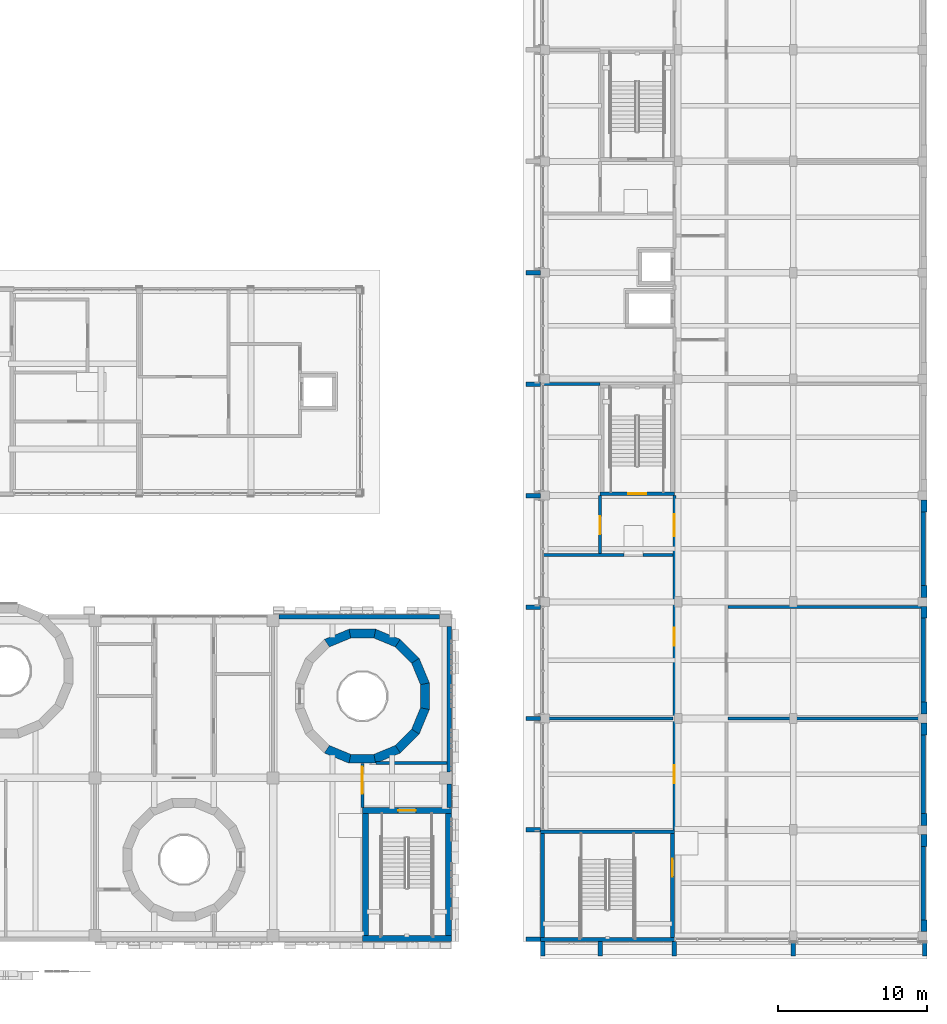
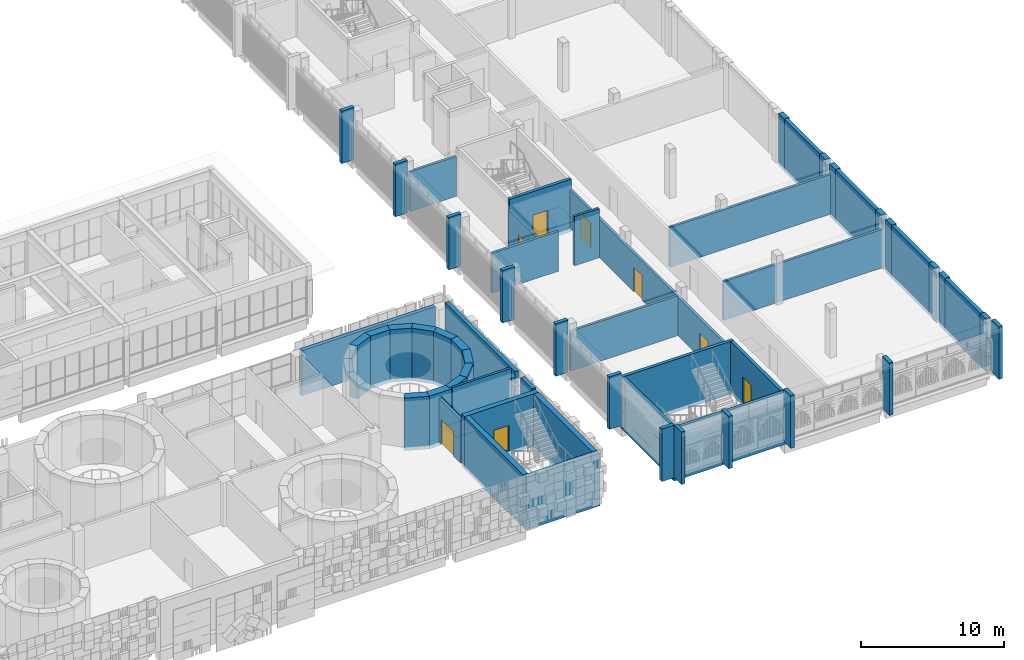
# One storey, part 50 of 92: 57 walls, 8 doors, 8 openings.
"""IFC4 building model written with IfcOpenShell, lengths in metres."""

from ifc_helpers import new_model, si_unit, direction, frame, frame_2d, origin, place, context, subcontext, project, spatial, polyline, rectangle, outline, extrude, material, layer, layer_set, type_object, element, fill, save


model = new_model("IFC4")

# Units and contexts
model_context = context("Model", 3, precision=1e-05, world=origin(), true_north=direction((0.0, 1.0)))
body_context = subcontext(model_context, "Body", "Model", "MODEL_VIEW")
ifc_project = project(units=[si_unit("LENGTHUNIT", "METRE"), si_unit("AREAUNIT", "SQUARE_METRE"), si_unit("VOLUMEUNIT", "CUBIC_METRE"), si_unit("PLANEANGLEUNIT", "RADIAN"), si_unit("MASSUNIT", "GRAM", prefix="KILO")], contexts=[model_context])

# Site, building, storey
site_placement = place(None, origin())
site = spatial("IfcSite", under=ifc_project, at=site_placement, CompositionType="ELEMENT")
building_placement = place(site_placement, origin())
building = spatial("IfcBuilding", under=site, at=building_placement, Name="Sun Court Science Centre", CompositionType="ELEMENT")
storey_placement = place(building_placement, frame((0.0, 0.0, 11.25)))
storey = spatial("IfcBuildingStorey", under=building, at=storey_placement, Name="L02", CompositionType="ELEMENT", Elevation=11.25)

# Walls
ifc_material_1 = material(Name="Clay masonry", Category="masonry")
ifc_layer_1 = layer(ifc_material_1, 0.300048828125)
ifc_layer_set_1 = layer_set([ifc_layer_1], Name="Clay masonry")
wall_type_1 = type_object("IfcWallType", Name="Clay masonry infill wall 300", PredefinedType="SOLIDWALL", material=ifc_layer_set_1)
wall_1_placement = place(storey_placement, frame((60.39990234375, 27.85009765625, 0.0), z_axis=(0.0, 0.0, 1.0), x_axis=(1.0, 0.0, 0.0)))
element("IfcWall", 1, at=wall_1_placement, inside=storey, type_object=wall_type_1, Name="External infill wall L02 north face 06", PredefinedType="SOLIDWALL", context=body_context, shape_type="SweptSolid", body=[
    extrude(rectangle(XDim=10.800048828125, YDim=0.300048828125, at=frame_2d((5.39990234375, 0.0))), origin(), (0.0, 0.0, 1.0), 3.860107421875),
])
wall_2_placement = place(storey_placement, frame((71.85009765625, 27.199951171875, 0.0), z_axis=(0.0, 0.0, 1.0), x_axis=(0.0, -1.0, 0.0)))
element("IfcWall", 2, at=wall_2_placement, inside=storey, type_object=wall_type_1, Name="External infill wall L02 east face 01", PredefinedType="SOLIDWALL", context=body_context, shape_type="SweptSolid", body=[
    extrude(rectangle(XDim=9.800048828125, YDim=0.300048828125, at=frame_2d((4.89990234375, 0.0))), origin(), (0.0, 0.0, 1.0), 4.35009765625),
])
wall_3_placement = place(storey_placement, frame((71.85009765625, 16.60009765625, 0.0), z_axis=(0.0, 0.0, 1.0), x_axis=(0.0, -1.0, 0.0)))
element("IfcWall", 3, at=wall_3_placement, inside=storey, type_object=wall_type_1, Name="External infill wall L02 east face 02", PredefinedType="SOLIDWALL", context=body_context, shape_type="SweptSolid", body=[
    extrude(rectangle(XDim=1.60009765625, YDim=0.300048828125, at=frame_2d((0.800048828125, 0.0))), origin(), (0.0, 0.0, 1.0), 4.35009765625),
])
ifc_material_2 = material(Name="Concrete C30/37", Category="concrete")
ifc_layer_2 = layer(ifc_material_2, 0.300048828125)
ifc_layer_set_2 = layer_set([ifc_layer_2], Name="Concrete C30/37")
wall_type_2 = type_object("IfcWallType", Name="Facade fin RC 300", PredefinedType="SOLIDWALL", material=ifc_layer_set_2)
for number, where, z_axis, x_axis, name in (
    (4, (77.0, 6.14990234375, 0.0), (0.0, 0.0, 1.0), (1.0, 0.0, 0.0), "Facade fin 01 L02"),
    (5, (77.0, 13.5, 0.0), (0.0, 0.0, 1.0), (1.0, 0.0, 0.0), "Facade fin 02 L02"),
    (6, (77.0, 21.0, 0.0), (0.0, 0.0, 1.0), (1.0, 0.0, 0.0), "Facade fin 03 L02"),
    (7, (77.0, 28.5, 0.0), (0.0, 0.0, 1.0), (1.0, 0.0, 0.0), "Facade fin 04 L02"),
    (8, (77.0, 36.0, 0.0), (0.0, 0.0, 1.0), (1.0, 0.0, 0.0), "Facade fin 05 L02"),
    (9, (77.0, 43.5, 0.0), (0.0, 0.0, 1.0), (1.0, 0.0, 0.0), "Facade fin 06 L02"),
    (10, (77.0, 51.0, 0.0), (0.0, 0.0, 1.0), (1.0, 0.0, 0.0), "Facade fin 07 L02"),
    (11, (78.14990234375, 6.0, 0.0), (0.0, 0.0, 1.0), (0.0, -1.0, 0.0), "Facade fin south 01 L02"),
    (12, (82.0, 6.0, 0.0), (0.0, 0.0, 1.0), (0.0, -1.0, 0.0), "Facade fin south 02 L02"),
    (13, (87.0, 6.0, 0.0), (0.0, 0.0, 1.0), (0.0, -1.0, 0.0), "Facade fin south 03 L02"),
    (14, (95.0, 6.0, 0.0), (0.0, 0.0, 1.0), (0.0, -1.0, 0.0), "Facade fin south 04 L02"),
    (15, (103.85009765625, 6.0, 0.0), (0.0, 0.0, 1.0), (0.0, -1.0, 0.0), "Facade fin south 05 L02"),
):
    element("IfcWall", number, at=place(storey_placement, frame(where, z_axis=z_axis, x_axis=x_axis)), inside=storey, type_object=wall_type_2, Name=name, PredefinedType="SOLIDWALL", context=body_context, shape_type="SweptSolid", body=[
        extrude(rectangle(XDim=1.0, YDim=0.300048828125, at=frame_2d((0.5, 0.0))), origin(), (0.0, 0.0, 1.0), 4.5),
    ])
ifc_material_3 = material(Name="Gypsum board")
ifc_layer_3 = layer(ifc_material_3, 0.199951171875)
ifc_layer_set_3 = layer_set([ifc_layer_3], Name="Gypsum board")
wall_type_3 = type_object("IfcWallType", Name="Partition 200 acoustic double stud", PredefinedType="PARTITIONING", material=ifc_layer_set_3)
wall_4_placement = place(storey_placement, frame((78.199951171875, 21.0, 0.0), z_axis=(0.0, 0.0, 1.0), x_axis=(1.0, 0.0, 0.0)))
element("IfcWall", 16, at=wall_4_placement, inside=storey, type_object=wall_type_3, Name="L02 partition 001", PredefinedType="PARTITIONING", context=body_context, shape_type="SweptSolid", body=[
    extrude(rectangle(XDim=8.699951171875, YDim=0.199951171875, at=frame_2d((4.35009765625, 0.0))), origin(), (0.0, 0.0, 1.0), 3.39990234375),
])
wall_5_placement = place(storey_placement, frame((90.60009765625, 21.0, 0.0), z_axis=(0.0, 0.0, 1.0), x_axis=(1.0, 0.0, 0.0)))
element("IfcWall", 17, at=wall_5_placement, inside=storey, type_object=wall_type_3, Name="L02 partition 002", PredefinedType="PARTITIONING", context=body_context, shape_type="SweptSolid", body=[
    extrude(rectangle(XDim=13.199951171875, YDim=0.199951171875, at=frame_2d((6.60009765625, 0.0))), origin(), (0.0, 0.0, 1.0), 3.300048828125),
])
wall_6_placement = place(storey_placement, frame((90.60009765625, 28.5, 0.0), z_axis=(0.0, 0.0, 1.0), x_axis=(1.0, 0.0, 0.0)))
element("IfcWall", 18, at=wall_6_placement, inside=storey, type_object=wall_type_3, Name="L02 partition 003", PredefinedType="PARTITIONING", context=body_context, shape_type="SweptSolid", body=[
    extrude(rectangle(XDim=12.997802734375, YDim=0.199951171875, at=frame_2d((6.4990234375, 0.0))), origin(), (0.0, 0.0, 1.0), 3.39990234375),
])
wall_7_placement = place(storey_placement, frame((78.199951171875, 43.5, 0.0), z_axis=(0.0, 0.0, 1.0), x_axis=(1.0, 0.0, 0.0)))
element("IfcWall", 19, at=wall_7_placement, inside=storey, type_object=wall_type_3, Name="L02 partition 006", PredefinedType="PARTITIONING", context=body_context, shape_type="SweptSolid", body=[
    extrude(rectangle(XDim=3.798095703125, YDim=0.199951171875, at=frame_2d((1.89892578125, 0.0))), origin(), (0.0, 0.0, 1.0), 3.39990234375),
])
ifc_material_4 = material(Name="Concrete block", Category="concrete")
ifc_layer_4 = layer(ifc_material_4, 0.199951171875)
ifc_layer_set_4 = layer_set([ifc_layer_4], Name="Concrete block")
wall_type_4 = type_object("IfcWallType", Name="Partition 200 block EI60", PredefinedType="PARTITIONING", material=ifc_layer_set_4)
wall_8_placement = place(storey_placement, frame((66.9306640625, 18.0, 0.0), z_axis=(0.0, 0.0, 1.0), x_axis=(1.0, 0.0, 0.0)))
element("IfcWall", 20, at=wall_8_placement, inside=storey, type_object=wall_type_4, Name="L02 partition 003", PredefinedType="PARTITIONING", context=body_context, shape_type="SweptSolid", body=[
    extrude(rectangle(XDim=4.767333984375, YDim=0.199951171875, at=frame_2d((2.3837890625, 0.0))), origin(), (0.0, 0.0, 1.0), 4.35009765625),
])
wall_9_placement = place(storey_placement, frame((78.199951171875, 32.0, 0.0), z_axis=(0.0, 0.0, 1.0), x_axis=(1.0, 0.0, 0.0)))
element("IfcWall", 21, at=wall_9_placement, inside=storey, type_object=wall_type_4, Name="L02 partition 004", PredefinedType="PARTITIONING", context=body_context, shape_type="SweptSolid", body=[
    extrude(rectangle(XDim=5.400146484375, YDim=0.199951171875, at=frame_2d((2.7001953125, 0.0))), origin(), (0.0, 0.0, 1.0), 3.39990234375),
])
wall_10_placement = place(storey_placement, frame((84.89990234375, 32.0, 0.0), z_axis=(0.0, 0.0, 1.0), x_axis=(1.0, 0.0, 0.0)))
element("IfcWall", 22, at=wall_10_placement, inside=storey, type_object=wall_type_4, Name="L02 partition 005", PredefinedType="PARTITIONING", context=body_context, shape_type="SweptSolid", body=[
    extrude(rectangle(XDim=2.0, YDim=0.199951171875, at=frame_2d((1.0, 0.0))), origin(), (0.0, 0.0, 1.0), 4.199951171875),
])

# Wall, opening, door
wall_11_placement = place(storey_placement, frame((82.0, 32.10009765625, 0.0), z_axis=(0.0, 0.0, 1.0), x_axis=(0.0, 1.0, 0.0)))
wall_11 = element("IfcWall", 23, at=wall_11_placement, inside=storey, type_object=wall_type_4, Name="L02 partition 023", PredefinedType="PARTITIONING", context=body_context, shape_type="SweptSolid", body=[
    extrude(rectangle(XDim=3.89794921875, YDim=0.199951171875, at=frame_2d((1.948974609375, 0.0))), origin(), (0.0, 0.0, 1.0), 3.39990234375),
])
opening_1_placement = place(wall_11_placement, frame((1.301025390625, 0.0, 0.0)))
opening_1 = element("IfcOpeningElement", 24, at=opening_1_placement, cuts=wall_11, Name="Opening D-L02-040", PredefinedType="OPENING", context=body_context, shape_type="SweptSolid", body=[
    extrude(rectangle(XDim=1.199951171875, YDim=2.10009765625, at=frame_2d((0.60009765625, 1.050048828125))), frame((0.0, 0.10986328125, 0.0), z_axis=(0.0, -1.0, 0.0), x_axis=(1.0, 0.0, 0.0)), (0.0, 0.0, 1.0), 0.219970703125),
])
ifc_material_5 = material(Name="Timber", Category="wood")
door_type_1 = type_object("IfcDoorType", Name="Door 1200x2100 single leaf", OperationType="NOTDEFINED", PredefinedType="DOOR", material=ifc_material_5)
door_1_placement = place(opening_1_placement, origin())
door_1 = element("IfcDoor", 25, at=door_1_placement, inside=storey, type_object=door_type_1, Name="Door D-L02-040", OperationType="SINGLE_SWING_RIGHT", OverallHeight=2.10009765625, OverallWidth=1.199951171875, PredefinedType="DOOR", context=body_context, shape_type="SweptSolid", body=[
    extrude(rectangle(XDim=1.199951171875, YDim=2.10009765625, at=frame_2d((0.60009765625, 1.050048828125))), frame((0.0, 0.02490234375, 0.0), z_axis=(0.0, -1.0, 0.0), x_axis=(1.0, 0.0, 0.0)), (0.0, 0.0, 1.0), 0.050048828125),
])
fill(opening_1, door_1)

wall_12_placement = place(storey_placement, frame((66.0, 17.986328125, 0.0), z_axis=(0.0, 0.0, 1.0), x_axis=(0.0, -1.0, 0.0)))
wall_12 = element("IfcWall", 26, at=wall_12_placement, inside=storey, type_object=wall_type_4, Name="L02 partition 010", PredefinedType="PARTITIONING", context=body_context, shape_type="SweptSolid", body=[
    extrude(rectangle(XDim=2.984375, YDim=0.199951171875, at=frame_2d((1.4921875, 0.0))), origin(), (0.0, 0.0, 1.0), 3.75),
])
opening_2_placement = place(wall_12_placement, frame((0.248291015625, 0.0, 0.0)))
opening_2 = element("IfcOpeningElement", 27, at=opening_2_placement, cuts=wall_12, Name="Opening D-L02-011", PredefinedType="OPENING", context=body_context, shape_type="SweptSolid", body=[
    extrude(rectangle(XDim=1.800048828125, YDim=2.10009765625, at=frame_2d((0.89990234375, 1.050048828125))), frame((0.0, 0.10986328125, 0.0), z_axis=(0.0, -1.0, 0.0), x_axis=(1.0, 0.0, 0.0)), (0.0, 0.0, 1.0), 0.219970703125),
])
ifc_material_6 = material(Name="Timber", Category="wood")
door_type_2 = type_object("IfcDoorType", Name="Door 1800x2100 double leaf", OperationType="DOUBLE_DOOR_SINGLE_SWING", PredefinedType="DOOR", material=ifc_material_6)
door_2_placement = place(opening_2_placement, origin())
door_2 = element("IfcDoor", 28, at=door_2_placement, inside=storey, type_object=door_type_2, Name="Door D-L02-011", OperationType="DOUBLE_DOOR_SINGLE_SWING", OverallHeight=2.10009765625, OverallWidth=1.800048828125, PredefinedType="DOOR", context=body_context, shape_type="SweptSolid", body=[
    extrude(rectangle(XDim=1.800048828125, YDim=2.10009765625, at=frame_2d((0.89990234375, 1.050048828125))), frame((0.0, 0.02490234375, 0.0), z_axis=(0.0, -1.0, 0.0), x_axis=(1.0, 0.0, 0.0)), (0.0, 0.0, 1.0), 0.050048828125),
])
fill(opening_2, door_2)

# Wall, openings, doors
ifc_material_7 = material(Name="Concrete block", Category="concrete")
ifc_layer_5 = layer(ifc_material_7, 0.199951171875)
ifc_layer_set_5 = layer_set([ifc_layer_5], Name="Concrete block")
wall_type_5 = type_object("IfcWallType", Name="Partition 200 corridor block EI120", PredefinedType="PARTITIONING", material=ifc_layer_set_5)
wall_13_placement = place(storey_placement, frame((87.0, 13.501953125, 0.0), z_axis=(0.0, 0.0, 1.0), x_axis=(0.0, 1.0, 0.0)))
wall_13 = element("IfcWall", 29, at=wall_13_placement, inside=storey, type_object=wall_type_5, Name="L02 partition 018", PredefinedType="PARTITIONING", context=body_context, shape_type="SweptSolid", body=[
    extrude(rectangle(XDim=22.49609375, YDim=0.199951171875, at=frame_2d((11.248046875, 0.0))), origin(), (0.0, 0.0, 1.0), 3.300048828125),
])
opening_3_placement = place(wall_13_placement, frame((19.748046875, 0.0, 0.0)))
opening_3 = element("IfcOpeningElement", 30, at=opening_3_placement, cuts=wall_13, Name="Opening D-L02-032", PredefinedType="OPENING", context=body_context, shape_type="SweptSolid", body=[
    extrude(rectangle(XDim=1.5, YDim=2.10009765625, at=frame_2d((0.75, 1.050048828125))), frame((0.0, 0.10986328125, 0.0), z_axis=(0.0, -1.0, 0.0), x_axis=(1.0, 0.0, 0.0)), (0.0, 0.0, 1.0), 0.219970703125),
])
opening_4_placement = place(wall_13_placement, frame((3.14794921875, 0.0, 0.0)))
opening_4 = element("IfcOpeningElement", 31, at=opening_4_placement, cuts=wall_13, Name="Opening D-L02-038", PredefinedType="OPENING", context=body_context, shape_type="SweptSolid", body=[
    extrude(rectangle(XDim=1.199951171875, YDim=2.10009765625, at=frame_2d((0.60009765625, 1.050048828125))), frame((0.0, 0.10986328125, 0.0), z_axis=(0.0, -1.0, 0.0), x_axis=(1.0, 0.0, 0.0)), (0.0, 0.0, 1.0), 0.219970703125),
])
opening_5_placement = place(wall_13_placement, frame((12.39794921875, 0.0, 0.0)))
opening_5 = element("IfcOpeningElement", 32, at=opening_5_placement, cuts=wall_13, Name="Opening D-L02-039", PredefinedType="OPENING", context=body_context, shape_type="SweptSolid", body=[
    extrude(rectangle(XDim=1.199951171875, YDim=2.10009765625, at=frame_2d((0.60009765625, 1.050048828125))), frame((0.0, 0.10986328125, 0.0), z_axis=(0.0, -1.0, 0.0), x_axis=(1.0, 0.0, 0.0)), (0.0, 0.0, 1.0), 0.219970703125),
])
ifc_material_8 = material(Name="Steel", Category="steel")
door_type_3 = type_object("IfcDoorType", Name="Door 1200x2100 single leaf FD60", OperationType="NOTDEFINED", PredefinedType="DOOR", material=ifc_material_8)
door_3_placement = place(opening_4_placement, origin())
door_3 = element("IfcDoor", 33, at=door_3_placement, inside=storey, type_object=door_type_3, Name="Door D-L02-038", OperationType="SINGLE_SWING_RIGHT", OverallHeight=2.10009765625, OverallWidth=1.199951171875, PredefinedType="DOOR", context=body_context, shape_type="SweptSolid", body=[
    extrude(rectangle(XDim=1.199951171875, YDim=2.10009765625, at=frame_2d((0.60009765625, 1.050048828125))), frame((0.0, 0.02490234375, 0.0), z_axis=(0.0, -1.0, 0.0), x_axis=(1.0, 0.0, 0.0)), (0.0, 0.0, 1.0), 0.050048828125),
])
fill(opening_4, door_3)
door_4_placement = place(opening_5_placement, origin())
door_4 = element("IfcDoor", 34, at=door_4_placement, inside=storey, type_object=door_type_3, Name="Door D-L02-039", OperationType="SINGLE_SWING_LEFT", OverallHeight=2.10009765625, OverallWidth=1.199951171875, PredefinedType="DOOR", context=body_context, shape_type="SweptSolid", body=[
    extrude(rectangle(XDim=1.199951171875, YDim=2.10009765625, at=frame_2d((0.60009765625, 1.050048828125))), frame((0.0, 0.02490234375, 0.0), z_axis=(0.0, -1.0, 0.0), x_axis=(1.0, 0.0, 0.0)), (0.0, 0.0, 1.0), 0.050048828125),
])
fill(opening_5, door_4)
ifc_material_9 = material(Name="Steel", Category="steel")
door_type_4 = type_object("IfcDoorType", Name="Door 1500x2100 double leaf FD60", OperationType="DOUBLE_DOOR_SINGLE_SWING", PredefinedType="DOOR", material=ifc_material_9)
door_5_placement = place(opening_3_placement, origin())
door_5 = element("IfcDoor", 35, at=door_5_placement, inside=storey, type_object=door_type_4, Name="Door D-L02-032", OperationType="DOUBLE_DOOR_SINGLE_SWING", OverallHeight=2.10009765625, OverallWidth=1.5, PredefinedType="DOOR", context=body_context, shape_type="SweptSolid", body=[
    extrude(rectangle(XDim=1.5, YDim=2.10009765625, at=frame_2d((0.75, 1.050048828125))), frame((0.0, 0.02490234375, 0.0), z_axis=(0.0, -1.0, 0.0), x_axis=(1.0, 0.0, 0.0)), (0.0, 0.0, 1.0), 0.050048828125),
])
fill(opening_3, door_5)

# Walls
ifc_material_10 = material(Name="Concrete C30/37", Category="concrete")
ifc_layer_6 = layer(ifc_material_10, 0.60009765625)
ifc_layer_set_6 = layer_set([ifc_layer_6], Name="Concrete C30/37")
wall_type_6 = type_object("IfcWallType", Name="RC cone ring wall 600", PredefinedType="SHEAR", material=ifc_layer_set_6)
wall_14_placement = place(storey_placement, frame((70.234375, 23.28271484375, -0.300048828125), z_axis=(0.0, 0.0, 1.0), x_axis=(-0.3826441282, 0.92389581185, 0.0)))
element("IfcWall", 36, at=wall_14_placement, inside=storey, type_object=wall_type_6, Name="Cone 6 ring wall L02 segment 1", PredefinedType="SHEAR", context=body_context, shape_type="SweptSolid", body=[
    extrude(outline(polyline([(0.0, -0.300048828125), (1.794677734375, -0.2998046875), (1.67529296875, 0.300048828125), (0.119140625, 0.300048828125), (0.0, -0.300048828125)])), origin(), (0.0, 0.0, 1.0), 4.5),
])
wall_15_placement = place(storey_placement, frame((69.612548828125, 24.843505859375, -0.300048828125), z_axis=(0.0, 0.0, 1.0), x_axis=(-0.707106781187, 0.707106781187, 0.0)))
element("IfcWall", 37, at=wall_15_placement, inside=storey, type_object=wall_type_6, Name="Cone 6 ring wall L02 segment 2", PredefinedType="SHEAR", context=body_context, shape_type="SweptSolid", body=[
    extrude(outline(polyline([(0.0, -0.300048828125), (1.794677734375, -0.300048828125), (1.67529296875, 0.2998046875), (0.119384765625, 0.2998046875), (0.0, -0.300048828125)])), origin(), (0.0, 0.0, 1.0), 4.5),
])
wall_16_placement = place(storey_placement, frame((68.44091796875, 26.047607421875, -0.300048828125), z_axis=(0.0, 0.0, 1.0), x_axis=(-0.92389581185, 0.3826441282, 0.0)))
element("IfcWall", 38, at=wall_16_placement, inside=storey, type_object=wall_type_6, Name="Cone 6 ring wall L02 segment 3", PredefinedType="SHEAR", context=body_context, shape_type="SweptSolid", body=[
    extrude(outline(polyline([(0.0, -0.2998046875), (1.794921875, -0.300048828125), (1.675537109375, 0.300048828125), (0.119384765625, 0.300048828125), (0.0, -0.2998046875)])), origin(), (0.0, 0.0, 1.0), 4.5),
])
wall_17_placement = place(storey_placement, frame((66.8974609375, 26.711669921875, -0.300048828125), z_axis=(0.0, 0.0, 1.0), x_axis=(-1.0, 0.0, 0.0)))
element("IfcWall", 39, at=wall_17_placement, inside=storey, type_object=wall_type_6, Name="Cone 6 ring wall L02 segment 4", PredefinedType="SHEAR", context=body_context, shape_type="SweptSolid", body=[
    extrude(outline(polyline([(0.0, -0.300048828125), (1.794921875, -0.300048828125), (1.675537109375, 0.300048828125), (0.119384765625, 0.300048828125), (0.0, -0.300048828125)])), origin(), (0.0, 0.0, 1.0), 4.5),
])
wall_18_placement = place(storey_placement, frame((65.21728515625, 26.734375, -0.300048828125), z_axis=(0.0, 0.0, 1.0), x_axis=(-0.92389581185, -0.3826441282, 0.0)))
element("IfcWall", 40, at=wall_18_placement, inside=storey, type_object=wall_type_6, Name="Cone 6 ring wall L02 segment 5", PredefinedType="SHEAR", context=body_context, shape_type="SweptSolid", body=[
    extrude(outline(polyline([(0.0, -0.300048828125), (1.794677734375, -0.2998046875), (1.67529296875, 0.300048828125), (0.119140625, 0.300048828125), (0.0, -0.300048828125)])), origin(), (0.0, 0.0, 1.0), 4.5),
])
wall_19_placement = place(storey_placement, frame((63.55908203125, 18.952392578125, -0.300048828125), z_axis=(0.0, 0.0, 1.0), x_axis=(0.92389581185, -0.3826441282, 0.0)))
element("IfcWall", 41, at=wall_19_placement, inside=storey, type_object=wall_type_6, Name="Cone 6 ring wall L02 segment 11", PredefinedType="SHEAR", context=body_context, shape_type="SweptSolid", body=[
    extrude(outline(polyline([(0.0, -0.2998046875), (1.794921875, -0.300048828125), (1.675537109375, 0.300048828125), (0.119384765625, 0.300048828125), (0.0, -0.2998046875)])), origin(), (0.0, 0.0, 1.0), 4.5),
])
wall_20_placement = place(storey_placement, frame((65.1025390625, 18.288330078125, -0.300048828125), z_axis=(0.0, 0.0, 1.0), x_axis=(1.0, 0.0, 0.0)))
element("IfcWall", 42, at=wall_20_placement, inside=storey, type_object=wall_type_6, Name="Cone 6 ring wall L02 segment 12", PredefinedType="SHEAR", context=body_context, shape_type="SweptSolid", body=[
    extrude(outline(polyline([(0.0, -0.300048828125), (1.794921875, -0.300048828125), (1.675537109375, 0.300048828125), (0.119384765625, 0.300048828125), (0.0, -0.300048828125)])), origin(), (0.0, 0.0, 1.0), 4.5),
])
wall_21_placement = place(storey_placement, frame((66.78271484375, 18.265625, -0.300048828125), z_axis=(0.0, 0.0, 1.0), x_axis=(0.92389581185, 0.3826441282, 0.0)))
element("IfcWall", 43, at=wall_21_placement, inside=storey, type_object=wall_type_6, Name="Cone 6 ring wall L02 segment 13", PredefinedType="SHEAR", context=body_context, shape_type="SweptSolid", body=[
    extrude(outline(polyline([(0.0, -0.300048828125), (1.794677734375, -0.2998046875), (1.67529296875, 0.300048828125), (0.119140625, 0.300048828125), (0.0, -0.300048828125)])), origin(), (0.0, 0.0, 1.0), 4.5),
])
wall_22_placement = place(storey_placement, frame((68.343505859375, 18.887451171875, -0.300048828125), z_axis=(0.0, 0.0, 1.0), x_axis=(0.707106781187, 0.707106781187, 0.0)))
element("IfcWall", 44, at=wall_22_placement, inside=storey, type_object=wall_type_6, Name="Cone 6 ring wall L02 segment 14", PredefinedType="SHEAR", context=body_context, shape_type="SweptSolid", body=[
    extrude(outline(polyline([(0.0, -0.300048828125), (1.794677734375, -0.300048828125), (1.67529296875, 0.2998046875), (0.119384765625, 0.2998046875), (0.0, -0.300048828125)])), origin(), (0.0, 0.0, 1.0), 4.5),
])
wall_23_placement = place(storey_placement, frame((69.547607421875, 20.05908203125, -0.300048828125), z_axis=(0.0, 0.0, 1.0), x_axis=(0.3826441282, 0.92389581185, 0.0)))
element("IfcWall", 45, at=wall_23_placement, inside=storey, type_object=wall_type_6, Name="Cone 6 ring wall L02 segment 15", PredefinedType="SHEAR", context=body_context, shape_type="SweptSolid", body=[
    extrude(outline(polyline([(0.0, -0.2998046875), (1.794921875, -0.300048828125), (1.675537109375, 0.300048828125), (0.119384765625, 0.300048828125), (0.0, -0.2998046875)])), origin(), (0.0, 0.0, 1.0), 4.5),
])
wall_24_placement = place(storey_placement, frame((70.211669921875, 21.6025390625, -0.300048828125), z_axis=(0.0, 0.0, 1.0), x_axis=(0.0, 1.0, 0.0)))
element("IfcWall", 46, at=wall_24_placement, inside=storey, type_object=wall_type_6, Name="Cone 6 ring wall L02 segment 16", PredefinedType="SHEAR", context=body_context, shape_type="SweptSolid", body=[
    extrude(outline(polyline([(0.0, -0.300048828125), (1.794921875, -0.300048828125), (1.675537109375, 0.300048828125), (0.119384765625, 0.300048828125), (0.0, -0.300048828125)])), origin(), (0.0, 0.0, 1.0), 4.5),
])
ifc_material_11 = material(Name="Concrete C30/37", Category="concrete")
ifc_layer_7 = layer(ifc_material_11, 0.39990234375)
ifc_layer_set_7 = layer_set([ifc_layer_7], Name="Concrete C30/37")
wall_type_7 = type_object("IfcWallType", Name="RC party wall exterior 400", PredefinedType="SOLIDWALL", material=ifc_layer_set_7)
for number, where, z_axis, x_axis, name in (
    (47, (103.800048828125, 6.64990234375, -0.300048828125), (0.0, 0.0, 1.0), (0.0, 1.0, 0.0), "East party wall L02"),
    (48, (103.800048828125, 12.39990234375, -0.300048828125), (0.0, 0.0, 1.0), (0.0, 1.0, 0.0), "East party wall L02"),
    (49, (103.800048828125, 13.800048828125, -0.300048828125), (0.0, 0.0, 1.0), (0.0, 1.0, 0.0), "East party wall L02"),
    (50, (103.800048828125, 19.89990234375, -0.300048828125), (0.0, 0.0, 1.0), (0.0, 1.0, 0.0), "East party wall L02"),
    (51, (103.800048828125, 21.300048828125, -0.300048828125), (0.0, 0.0, 1.0), (0.0, 1.0, 0.0), "East party wall L02"),
    (52, (103.800048828125, 27.75, -0.300048828125), (0.0, 0.0, 1.0), (0.0, 1.0, 0.0), "East party wall L02"),
    (53, (103.800048828125, 29.14990234375, -0.300048828125), (0.0, 0.0, 1.0), (0.0, 1.0, 0.0), "East party wall L02"),
    (54, (103.800048828125, 34.89990234375, -0.300048828125), (0.0, 0.0, 1.0), (0.0, 1.0, 0.0), "East party wall L02"),
):
    element("IfcWall", number, at=place(storey_placement, frame(where, z_axis=z_axis, x_axis=x_axis)), inside=storey, type_object=wall_type_7, Name=name, PredefinedType="SOLIDWALL", context=body_context, shape_type="SweptSolid", body=[
        extrude(rectangle(XDim=0.800048828125, YDim=0.39990234375, at=frame_2d((0.39990234375, 0.0))), origin(), (0.0, 0.0, 1.0), 4.5),
    ])
ifc_material_12 = material(Name="Concrete C30/37", Category="concrete")
ifc_layer_8 = layer(ifc_material_12, 0.300048828125)
ifc_layer_set_8 = layer_set([ifc_layer_8], Name="Concrete C30/37")
wall_type_8 = type_object("IfcWallType", Name="RC party wall panel exterior 300", PredefinedType="SOLIDWALL", material=ifc_layer_set_8)
wall_25_placement = place(storey_placement, frame((103.75, 7.449951171875, -0.300048828125), z_axis=(0.0, 0.0, 1.0), x_axis=(0.0, 1.0, 0.0)))
element("IfcWall", 55, at=wall_25_placement, inside=storey, type_object=wall_type_8, Name="East party wall L02 panel", PredefinedType="SOLIDWALL", context=body_context, shape_type="SweptSolid", body=[
    extrude(rectangle(XDim=4.949951171875, YDim=0.300048828125, at=frame_2d((2.47509765625, 0.0))), origin(), (0.0, 0.0, 1.0), 4.5),
])
wall_26_placement = place(storey_placement, frame((103.75, 14.60009765625, -0.300048828125), z_axis=(0.0, 0.0, 1.0), x_axis=(0.0, 1.0, 0.0)))
element("IfcWall", 56, at=wall_26_placement, inside=storey, type_object=wall_type_8, Name="East party wall L02 panel", PredefinedType="SOLIDWALL", context=body_context, shape_type="SweptSolid", body=[
    extrude(rectangle(XDim=5.2998046875, YDim=0.300048828125, at=frame_2d((2.64990234375, 0.0))), origin(), (0.0, 0.0, 1.0), 4.5),
])
wall_27_placement = place(storey_placement, frame((103.75, 22.10009765625, -0.300048828125), z_axis=(0.0, 0.0, 1.0), x_axis=(0.0, 1.0, 0.0)))
element("IfcWall", 57, at=wall_27_placement, inside=storey, type_object=wall_type_8, Name="East party wall L02 panel", PredefinedType="SOLIDWALL", context=body_context, shape_type="SweptSolid", body=[
    extrude(rectangle(XDim=5.64990234375, YDim=0.300048828125, at=frame_2d((2.824951171875, 0.0))), origin(), (0.0, 0.0, 1.0), 4.5),
])
wall_28_placement = place(storey_placement, frame((103.75, 29.949951171875, -0.300048828125), z_axis=(0.0, 0.0, 1.0), x_axis=(0.0, 1.0, 0.0)))
element("IfcWall", 58, at=wall_28_placement, inside=storey, type_object=wall_type_8, Name="East party wall L02 panel", PredefinedType="SOLIDWALL", context=body_context, shape_type="SweptSolid", body=[
    extrude(rectangle(XDim=4.949951171875, YDim=0.300048828125, at=frame_2d((2.47509765625, 0.0))), origin(), (0.0, 0.0, 1.0), 4.5),
])
ifc_material_13 = material(Name="Concrete C30/37", Category="concrete")
ifc_layer_9 = layer(ifc_material_13, 0.25)
ifc_layer_set_9 = layer_set([ifc_layer_9], Name="Concrete C30/37")
wall_type_9 = type_object("IfcWallType", Name="RC stair core wall 250", PredefinedType="SHEAR", material=ifc_layer_set_9)
wall_29_placement = place(storey_placement, frame((78.0, 6.125, -0.300048828125), z_axis=(0.0, 0.0, 1.0), x_axis=(1.0, 0.0, 0.0)))
element("IfcWall", 59, at=wall_29_placement, inside=storey, type_object=wall_type_9, Name="Stair core SL1 wall S, L02", PredefinedType="SHEAR", context=body_context, shape_type="SweptSolid", body=[
    extrude(rectangle(XDim=9.0, YDim=0.25, at=frame_2d((4.5, 0.0))), origin(), (0.0, 0.0, 1.0), 4.5),
])

# Wall, opening, door
wall_30_placement = place(storey_placement, frame((86.875, 6.25, -0.300048828125), z_axis=(0.0, 0.0, 1.0), x_axis=(0.0, 1.0, 0.0)))
wall_30 = element("IfcWall", 60, at=wall_30_placement, inside=storey, type_object=wall_type_9, Name="Stair core SL1 wall E, L02", PredefinedType="SHEAR", context=body_context, shape_type="SweptSolid", body=[
    extrude(rectangle(XDim=7.0, YDim=0.25, at=frame_2d((3.5, 0.0))), origin(), (0.0, 0.0, 1.0), 4.5),
])
opening_6_placement = place(wall_30_placement, frame((4.10107421875, 0.0, 0.300048828125)))
opening_6 = element("IfcOpeningElement", 61, at=opening_6_placement, cuts=wall_30, Name="Opening D-L02-037", PredefinedType="OPENING", context=body_context, shape_type="SweptSolid", body=[
    extrude(rectangle(XDim=1.199951171875, YDim=2.199951171875, at=frame_2d((0.60009765625, 1.10009765625))), frame((0.0, 0.135009765625, 0.0), z_axis=(0.0, -1.0, 0.0), x_axis=(1.0, 0.0, 0.0)), (0.0, 0.0, 1.0), 0.27001953125),
])
ifc_material_14 = material(Name="Steel", Category="steel")
door_type_5 = type_object("IfcDoorType", Name="Door 1200x2200 single leaf FD60", OperationType="NOTDEFINED", PredefinedType="DOOR", material=ifc_material_14)
door_6_placement = place(opening_6_placement, origin())
door_6 = element("IfcDoor", 62, at=door_6_placement, inside=storey, type_object=door_type_5, Name="Door D-L02-037", OperationType="SINGLE_SWING_LEFT", OverallHeight=2.199951171875, OverallWidth=1.199951171875, PredefinedType="DOOR", context=body_context, shape_type="SweptSolid", body=[
    extrude(rectangle(XDim=1.199951171875, YDim=2.199951171875, at=frame_2d((0.60009765625, 1.10009765625))), frame((0.0, 0.02490234375, 0.0), z_axis=(0.0, -1.0, 0.0), x_axis=(1.0, 0.0, 0.0)), (0.0, 0.0, 1.0), 0.050048828125),
])
fill(opening_6, door_6)

# Walls
wall_31_placement = place(storey_placement, frame((78.0, 13.375, -0.300048828125), z_axis=(0.0, 0.0, 1.0), x_axis=(1.0, 0.0, 0.0)))
element("IfcWall", 63, at=wall_31_placement, inside=storey, type_object=wall_type_9, Name="Stair core SL1 wall N, L02", PredefinedType="SHEAR", context=body_context, shape_type="SweptSolid", body=[
    extrude(rectangle(XDim=9.0, YDim=0.25, at=frame_2d((4.5, 0.0))), origin(), (0.0, 0.0, 1.0), 4.5),
])
wall_32_placement = place(storey_placement, frame((78.125, 6.25, -0.300048828125), z_axis=(0.0, 0.0, 1.0), x_axis=(0.0, 1.0, 0.0)))
element("IfcWall", 64, at=wall_32_placement, inside=storey, type_object=wall_type_9, Name="Stair core SL1 wall W, L02", PredefinedType="SHEAR", context=body_context, shape_type="SweptSolid", body=[
    extrude(rectangle(XDim=7.0, YDim=0.25, at=frame_2d((3.5, 0.0))), origin(), (0.0, 0.0, 1.0), 4.5),
])

# Wall, opening, door
wall_33_placement = place(storey_placement, frame((82.0, 36.125, -0.300048828125), z_axis=(0.0, 0.0, 1.0), x_axis=(1.0, 0.0, 0.0)))
wall_33 = element("IfcWall", 65, at=wall_33_placement, inside=storey, type_object=wall_type_9, Name="Stair core SL2 wall S, L02", PredefinedType="SHEAR", context=body_context, shape_type="SweptSolid", body=[
    extrude(rectangle(XDim=5.0, YDim=0.25, at=frame_2d((2.5, 0.0))), origin(), (0.0, 0.0, 1.0), 4.5),
])
opening_7_placement = place(wall_33_placement, frame((1.89990234375, 0.0, 0.300048828125)))
opening_7 = element("IfcOpeningElement", 66, at=opening_7_placement, cuts=wall_33, Name="Opening D-L02-031", PredefinedType="OPENING", context=body_context, shape_type="SweptSolid", body=[
    extrude(rectangle(XDim=1.199951171875, YDim=2.199951171875, at=frame_2d((0.60009765625, 1.10009765625))), frame((0.0, 0.135009765625, 0.0), z_axis=(0.0, -1.0, 0.0), x_axis=(1.0, 0.0, 0.0)), (0.0, 0.0, 1.0), 0.27001953125),
])
door_7_placement = place(opening_7_placement, origin())
door_7 = element("IfcDoor", 67, at=door_7_placement, inside=storey, type_object=door_type_5, Name="Door D-L02-031", OperationType="SINGLE_SWING_LEFT", OverallHeight=2.199951171875, OverallWidth=1.199951171875, PredefinedType="DOOR", context=body_context, shape_type="SweptSolid", body=[
    extrude(rectangle(XDim=1.199951171875, YDim=2.199951171875, at=frame_2d((0.60009765625, 1.10009765625))), frame((0.0, 0.02490234375, 0.0), z_axis=(0.0, -1.0, 0.0), x_axis=(1.0, 0.0, 0.0)), (0.0, 0.0, 1.0), 0.050048828125),
])
fill(opening_7, door_7)

# Walls
ifc_material_15 = material(Name="Concrete C30/37", Category="concrete")
ifc_layer_10 = layer(ifc_material_15, 0.39990234375)
ifc_layer_set_10 = layer_set([ifc_layer_10], Name="Concrete C30/37")
wall_type_10 = type_object("IfcWallType", Name="RC stair core wall 400", PredefinedType="SHEAR", material=ifc_layer_set_10)
wall_34_placement = place(storey_placement, frame((66.0, 6.199951171875, -0.300048828125), z_axis=(0.0, 0.0, 1.0), x_axis=(1.0, 0.0, 0.0)))
element("IfcWall", 68, at=wall_34_placement, inside=storey, type_object=wall_type_10, Name="Stair core SB3 wall S, L02", PredefinedType="SHEAR", context=body_context, shape_type="SweptSolid", body=[
    extrude(rectangle(XDim=6.0, YDim=0.39990234375, at=frame_2d((3.0, 0.0))), origin(), (0.0, 0.0, 1.0), 4.5),
])
wall_35_placement = place(storey_placement, frame((71.800048828125, 6.39990234375, -0.300048828125), z_axis=(0.0, 0.0, 1.0), x_axis=(0.0, 1.0, 0.0)))
element("IfcWall", 69, at=wall_35_placement, inside=storey, type_object=wall_type_10, Name="Stair core SB3 wall E, L02", PredefinedType="SHEAR", context=body_context, shape_type="SweptSolid", body=[
    extrude(rectangle(XDim=8.2001953125, YDim=0.39990234375, at=frame_2d((4.10009765625, 0.0))), origin(), (0.0, 0.0, 1.0), 4.5),
])

# Wall, opening, door
wall_36_placement = place(storey_placement, frame((66.0, 14.800048828125, -0.300048828125), z_axis=(0.0, 0.0, 1.0), x_axis=(1.0, 0.0, 0.0)))
wall_36 = element("IfcWall", 70, at=wall_36_placement, inside=storey, type_object=wall_type_10, Name="Stair core SB3 wall N, L02", PredefinedType="SHEAR", context=body_context, shape_type="SweptSolid", body=[
    extrude(rectangle(XDim=6.0, YDim=0.39990234375, at=frame_2d((3.0, 0.0))), origin(), (0.0, 0.0, 1.0), 4.5),
])
opening_8_placement = place(wall_36_placement, frame((2.40087890625, 0.0, 0.300048828125)))
opening_8 = element("IfcOpeningElement", 71, at=opening_8_placement, cuts=wall_36, Name="Opening D-L02-008", PredefinedType="OPENING", context=body_context, shape_type="SweptSolid", body=[
    extrude(rectangle(XDim=1.199951171875, YDim=2.199951171875, at=frame_2d((0.60009765625, 1.10009765625))), frame((0.0, 0.2099609375, 0.0), z_axis=(0.0, -1.0, 0.0), x_axis=(1.0, 0.0, 0.0)), (0.0, 0.0, 1.0), 0.419921875),
])
door_8_placement = place(opening_8_placement, origin())
door_8 = element("IfcDoor", 72, at=door_8_placement, inside=storey, type_object=door_type_5, Name="Door D-L02-008", OperationType="SINGLE_SWING_RIGHT", OverallHeight=2.199951171875, OverallWidth=1.199951171875, PredefinedType="DOOR", context=body_context, shape_type="SweptSolid", body=[
    extrude(rectangle(XDim=1.199951171875, YDim=2.199951171875, at=frame_2d((0.60009765625, 1.10009765625))), frame((0.0, 0.02490234375, 0.0), z_axis=(0.0, -1.0, 0.0), x_axis=(1.0, 0.0, 0.0)), (0.0, 0.0, 1.0), 0.050048828125),
])
fill(opening_8, door_8)

# Wall
wall_37_placement = place(storey_placement, frame((66.199951171875, 6.39990234375, -0.300048828125), z_axis=(0.0, 0.0, 1.0), x_axis=(0.0, 1.0, 0.0)))
element("IfcWall", 73, at=wall_37_placement, inside=storey, type_object=wall_type_10, Name="Stair core SB3 wall W, L02", PredefinedType="SHEAR", context=body_context, shape_type="SweptSolid", body=[
    extrude(rectangle(XDim=8.2001953125, YDim=0.39990234375, at=frame_2d((4.10009765625, 0.0))), origin(), (0.0, 0.0, 1.0), 4.5),
])

save(model, "model.ifc")
